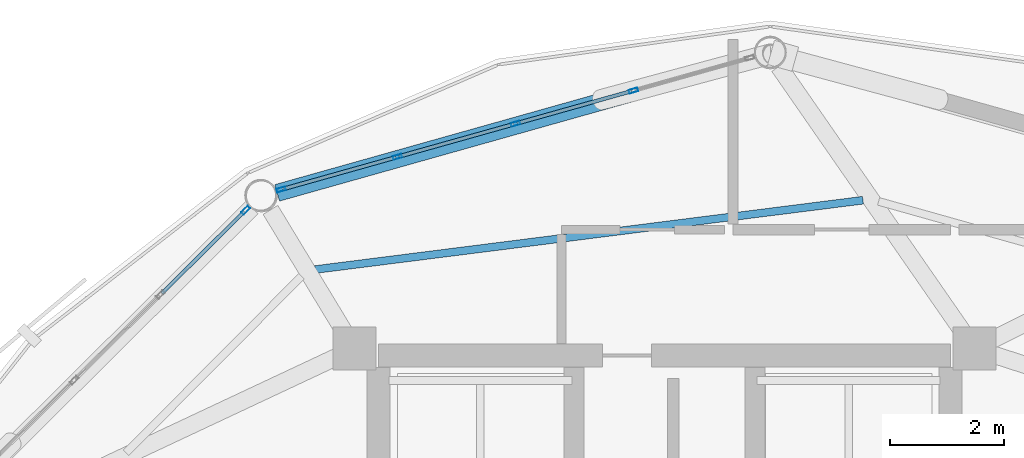
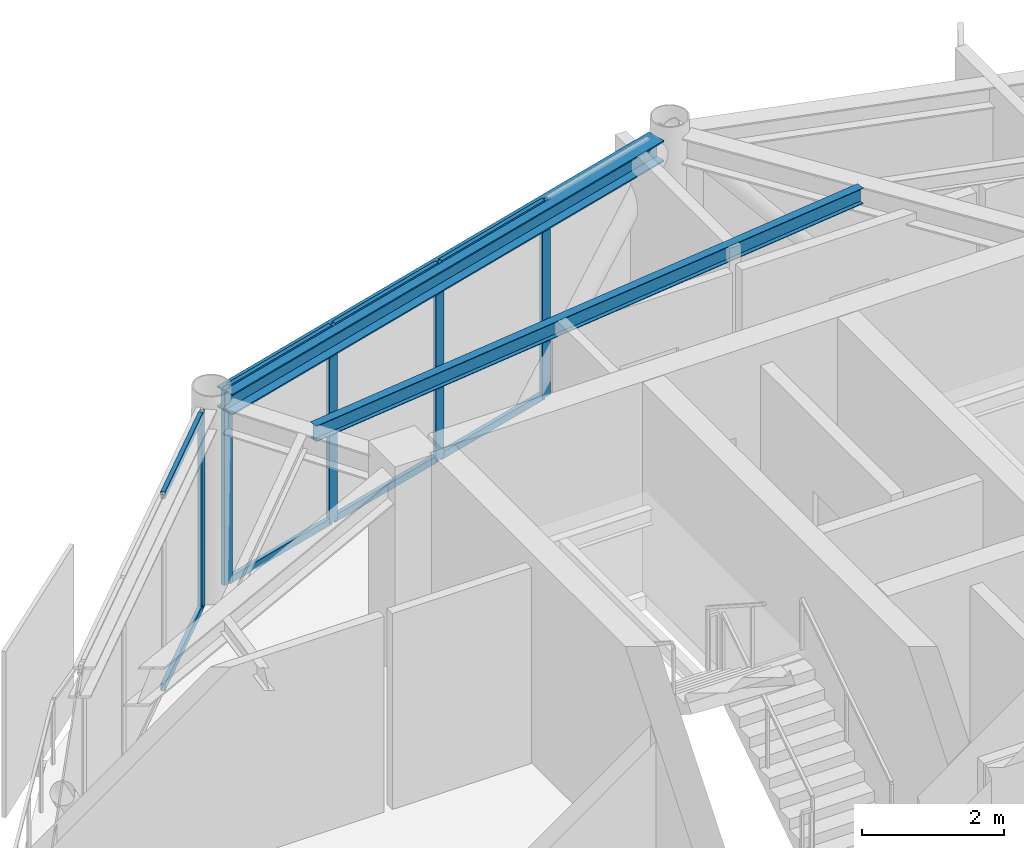
# One storey, part 16 of 25: 13 members, 2 beams, 2 elements without a shape of their own.
"""IFC4 building model written with IfcOpenShell, lengths in metres."""

from ifc_helpers import new_model, si_unit, direction, frame, origin, origin_2d, place, context, subcontext, project, spatial, hollow_rectangle, i_section, extrude, material, layer, layer_set, material_profile, profile_set, type_object, element, aggregate, save


model = new_model("IFC4")

# Units and contexts
model_context = context("Model", 3, precision=1e-05, world=origin(), true_north=direction((0.0, 1.0)))
body_context = subcontext(model_context, "Body", "Model", "MODEL_VIEW")
ifc_project = project(units=[si_unit("LENGTHUNIT", "METRE"), si_unit("AREAUNIT", "SQUARE_METRE"), si_unit("VOLUMEUNIT", "CUBIC_METRE"), si_unit("PLANEANGLEUNIT", "RADIAN"), si_unit("MASSUNIT", "GRAM", prefix="KILO")], contexts=[model_context])

# Site, building, storey
site_placement = place(None, origin())
site = spatial("IfcSite", under=ifc_project, at=site_placement, CompositionType="ELEMENT")
building_placement = place(site_placement, origin())
building = spatial("IfcBuilding", under=site, at=building_placement, Name="Varnakorn Sky Granary", CompositionType="ELEMENT")
storey_placement = place(building_placement, frame((0.0, 0.0, 277.800048828125)))
storey = spatial("IfcBuildingStorey", under=building, at=storey_placement, Name="L71", CompositionType="ELEMENT", Elevation=277.800048828125)

# Beams
ifc_material_1 = material(Name="Steel S355JR", Category="steel")
ifc_material_profile_1 = material_profile(ifc_material_1, i_section(OverallWidth=0.135009765625, OverallDepth=0.27001953125, WebThickness=0.006591796875, FlangeThickness=0.01025390625, at=origin_2d()), Name="IPE 270")
ifc_profile_set_1 = profile_set([ifc_material_profile_1], Name="Steel S355JR")
beam_type_1 = type_object("IfcBeamType", Name="BM-SEC-Z5", PredefinedType="BEAM", material=ifc_profile_set_1)
beam_1_placement = place(storey_placement, frame((6.47021484375, 15.213623046875, 3.224853515625), z_axis=(-0.992088816083, -0.125537966378, 0.0), x_axis=(0.125537966378, -0.992088816083, 0.0)))
element("IfcBeam", 1, at=beam_1_placement, inside=storey, type_object=beam_type_1, Name="Secondary Floor Chord Beam MSB04 L71", PredefinedType="BEAM", context=body_context, shape_type="SweptSolid", body=[
    extrude(i_section(OverallWidth=0.135009765625, OverallDepth=0.27001953125, WebThickness=0.006591796875, FlangeThickness=0.01025390625, at=origin_2d()), origin(), (0.0, 0.0, 1.0), 9.65380859375),
])
ifc_material_profile_2 = material_profile(ifc_material_1, i_section(OverallWidth=0.300048828125, OverallDepth=0.360107421875, WebThickness=0.012451171875, FlangeThickness=0.0224609375, at=origin_2d()), Name="HE 360 B")
ifc_profile_set_2 = profile_set([ifc_material_profile_2], Name="Steel S355JR")
beam_type_2 = type_object("IfcBeamType", Name="BM-SPD-Z5", PredefinedType="SPANDREL", material=ifc_profile_set_2)
beam_2_placement = place(storey_placement, frame((4.595458984375, 17.6962890625, 3.179931640625), z_axis=(-0.962618672341, -0.270860280699, 0.0), x_axis=(0.270860280699, -0.962618672341, 0.0)))
element("IfcBeam", 2, at=beam_2_placement, inside=storey, type_object=beam_type_2, Name="Perimeter Spandrel Ring Beam RB04 L71", PredefinedType="SPANDREL", context=body_context, shape_type="SweptSolid", body=[
    extrude(i_section(OverallWidth=0.300048828125, OverallDepth=0.360107421875, WebThickness=0.012451171875, FlangeThickness=0.0224609375, at=origin_2d()), origin(), (0.0, 0.0, 1.0), 8.69091796875),
])

# Curtain wall, members
ifc_material_2 = material(Name="Anodised Bronze Aluminium Alloy 6063-T6", Category="aluminium")
ifc_layer = layer(ifc_material_2, 0.159912109375, Name="Anodised Bronze Aluminium Alloy 6063-T6")
ifc_layer_set = layer_set([ifc_layer], Name="Anodised Bronze Aluminium Alloy 6063-T6")
curtain_wall_type = type_object("IfcCurtainWallType", Name="CW-OFF-1", PredefinedType="USERDEFINED", material=ifc_layer_set)
curtain_wall_1_placement = place(storey_placement, origin())
curtain_wall_1 = element("IfcCurtainWall", 3, at=curtain_wall_1_placement, inside=storey, type_object=curtain_wall_type, Name="Unitised Curtain Wall CW6 CW-L71-B04", ObjectType="CURTAIN WALL", PredefinedType="USERDEFINED")
ifc_material_profile_3 = material_profile(ifc_material_2, hollow_rectangle(XDim=0.06494140625, YDim=0.159912109375, WallThickness=0.00341796875, at=origin_2d()), Name="ALU MULL 65x160")
ifc_profile_set_3 = profile_set([ifc_material_profile_3], Name="Anodised Bronze Aluminium Alloy 6063-T6")
member_type_1 = type_object("IfcMemberType", Name="CW-OFF-1-MULL", PredefinedType="MULLION", material=ifc_profile_set_3)
member_1_placement = place(storey_placement, frame((-3.700927734375, 15.400634765625, 0.0), z_axis=(0.0, 0.0, 1.0), x_axis=(-0.270369994564, 0.962756493637, 0.0)))
member_1 = element("IfcMember", 4, at=member_1_placement, type_object=member_type_1, Name="CW6 mullion 1", PredefinedType="MULLION", context=body_context, shape_type="SweptSolid", body=[
    extrude(hollow_rectangle(XDim=0.06494140625, YDim=0.159912109375, WallThickness=0.00341796875, at=origin_2d()), origin(), (0.0, 0.0, 1.0), 3.35986328125),
])
member_2_placement = place(storey_placement, frame((-1.668212890625, 15.971435546875, 0.0), z_axis=(0.0, 0.0, 1.0), x_axis=(-0.270369994564, 0.962756493637, 0.0)))
member_2 = element("IfcMember", 5, at=member_2_placement, type_object=member_type_1, Name="CW6 mullion 2", PredefinedType="MULLION", context=body_context, shape_type="SweptSolid", body=[
    extrude(hollow_rectangle(XDim=0.06494140625, YDim=0.159912109375, WallThickness=0.00341796875, at=origin_2d()), origin(), (0.0, 0.0, 1.0), 3.35986328125),
])
member_3_placement = place(storey_placement, frame((0.3955078125, 16.551025390625, 0.0), z_axis=(0.0, 0.0, 1.0), x_axis=(-0.270369994564, 0.962756493637, 0.0)))
member_3 = element("IfcMember", 6, at=member_3_placement, type_object=member_type_1, Name="CW6 mullion 3", PredefinedType="MULLION", context=body_context, shape_type="SweptSolid", body=[
    extrude(hollow_rectangle(XDim=0.06494140625, YDim=0.159912109375, WallThickness=0.00341796875, at=origin_2d()), origin(), (0.0, 0.0, 1.0), 3.35986328125),
])
member_4_placement = place(storey_placement, frame((2.459228515625, 17.130615234375, 0.0), z_axis=(0.0, 0.0, 1.0), x_axis=(-0.270369994564, 0.962756493637, 0.0)))
member_4 = element("IfcMember", 7, at=member_4_placement, type_object=member_type_1, Name="CW6 mullion 4", PredefinedType="MULLION", context=body_context, shape_type="SweptSolid", body=[
    extrude(hollow_rectangle(XDim=0.06494140625, YDim=0.159912109375, WallThickness=0.00341796875, at=origin_2d()), origin(), (0.0, 0.0, 1.0), 3.35986328125),
])

# Curtain wall, member
curtain_wall_2_placement = place(storey_placement, origin())
curtain_wall_2 = element("IfcCurtainWall", 8, at=curtain_wall_2_placement, inside=storey, type_object=curtain_wall_type, Name="Unitised Curtain Wall CW6 CW-L71-B05", ObjectType="CURTAIN WALL", PredefinedType="USERDEFINED")
member_5_placement = place(storey_placement, frame((-4.3232421875, 15.038330078125, 0.0), z_axis=(0.0, 0.0, 1.0), x_axis=(-0.704102293926, 0.71009855632, 0.0)))
member_5 = element("IfcMember", 9, at=member_5_placement, type_object=member_type_1, Name="CW6 mullion 5", PredefinedType="MULLION", context=body_context, shape_type="SweptSolid", body=[
    extrude(hollow_rectangle(XDim=0.06494140625, YDim=0.159912109375, WallThickness=0.00341796875, at=origin_2d()), origin(), (0.0, 0.0, 1.0), 3.35986328125),
])

# Member
ifc_material_profile_4 = material_profile(ifc_material_2, hollow_rectangle(XDim=0.06494140625, YDim=0.1201171875, WallThickness=0.00341796875, at=origin_2d()), Name="ALU TRAN 65x120")
ifc_profile_set_4 = profile_set([ifc_material_profile_4], Name="Anodised Bronze Aluminium Alloy 6063-T6")
member_type_2 = type_object("IfcMemberType", Name="CW-OFF-1-TRAN", PredefinedType="USERDEFINED", material=ifc_profile_set_4)
member_6_placement = place(storey_placement, frame((-3.66943359375, 15.409423828125, 0.032470703125), z_axis=(0.96274806934, 0.27039999072, 0.0), x_axis=(-0.27039999072, 0.96274806934, 0.0)))
member_6 = element("IfcMember", 10, at=member_6_placement, type_object=member_type_2, Name="CW6 transom 1.1", ObjectType="TRANSOM", PredefinedType="USERDEFINED", context=body_context, shape_type="SweptSolid", body=[
    extrude(hollow_rectangle(XDim=0.06494140625, YDim=0.1201171875, WallThickness=0.00341796875, at=origin_2d()), origin(), (0.0, 0.0, 1.0), 2.0458984375),
])

member_7_placement = place(storey_placement, frame((-3.66943359375, 15.409423828125, 3.327392578125), z_axis=(0.96274806934, 0.27039999072, 0.0), x_axis=(-0.27039999072, 0.96274806934, 0.0)))
member_7 = element("IfcMember", 11, at=member_7_placement, type_object=member_type_2, Name="CW6 transom 1.2", ObjectType="TRANSOM", PredefinedType="USERDEFINED", context=body_context, shape_type="SweptSolid", body=[
    extrude(hollow_rectangle(XDim=0.06494140625, YDim=0.1201171875, WallThickness=0.00341796875, at=origin_2d()), origin(), (0.0, 0.0, 1.0), 2.0458984375),
])

member_8_placement = place(storey_placement, frame((-1.636962890625, 15.980224609375, 0.032470703125), z_axis=(0.962755140746, 0.270374812004, 0.0), x_axis=(-0.270374812004, 0.962755140746, 0.0)))
member_8 = element("IfcMember", 12, at=member_8_placement, type_object=member_type_2, Name="CW6 transom 2.1", ObjectType="TRANSOM", PredefinedType="USERDEFINED", context=body_context, shape_type="SweptSolid", body=[
    extrude(hollow_rectangle(XDim=0.06494140625, YDim=0.1201171875, WallThickness=0.00341796875, at=origin_2d()), origin(), (0.0, 0.0, 1.0), 2.07861328125),
])

member_9_placement = place(storey_placement, frame((-1.636962890625, 15.980224609375, 3.327392578125), z_axis=(0.962755140746, 0.270374812004, 0.0), x_axis=(-0.270374812004, 0.962755140746, 0.0)))
member_9 = element("IfcMember", 13, at=member_9_placement, type_object=member_type_2, Name="CW6 transom 2.2", ObjectType="TRANSOM", PredefinedType="USERDEFINED", context=body_context, shape_type="SweptSolid", body=[
    extrude(hollow_rectangle(XDim=0.06494140625, YDim=0.1201171875, WallThickness=0.00341796875, at=origin_2d()), origin(), (0.0, 0.0, 1.0), 2.07861328125),
])

member_10_placement = place(storey_placement, frame((0.4267578125, 16.559814453125, 0.032470703125), z_axis=(0.962755140746, 0.270374812004, 0.0), x_axis=(-0.270374812004, 0.962755140746, 0.0)))
member_10 = element("IfcMember", 14, at=member_10_placement, type_object=member_type_2, Name="CW6 transom 3.1", ObjectType="TRANSOM", PredefinedType="USERDEFINED", context=body_context, shape_type="SweptSolid", body=[
    extrude(hollow_rectangle(XDim=0.06494140625, YDim=0.1201171875, WallThickness=0.00341796875, at=origin_2d()), origin(), (0.0, 0.0, 1.0), 2.07861328125),
])

member_11_placement = place(storey_placement, frame((0.4267578125, 16.559814453125, 3.327392578125), z_axis=(0.962755140746, 0.270374812004, 0.0), x_axis=(-0.270374812004, 0.962755140746, 0.0)))
member_11 = element("IfcMember", 15, at=member_11_placement, type_object=member_type_2, Name="CW6 transom 3.2", ObjectType="TRANSOM", PredefinedType="USERDEFINED", context=body_context, shape_type="SweptSolid", body=[
    extrude(hollow_rectangle(XDim=0.06494140625, YDim=0.1201171875, WallThickness=0.00341796875, at=origin_2d()), origin(), (0.0, 0.0, 1.0), 2.07861328125),
])

aggregate(curtain_wall_1, [member_1, member_2, member_3, member_4, member_6, member_7, member_8, member_9, member_10, member_11])

member_12_placement = place(storey_placement, frame((-5.786865234375, 13.5869140625, 0.032470703125), z_axis=(0.71010880712, 0.704091955678, 0.0), x_axis=(-0.704091955678, 0.71010880712, 0.0)))
member_12 = element("IfcMember", 16, at=member_12_placement, type_object=member_type_2, Name="CW6 transom 4.1", ObjectType="TRANSOM", PredefinedType="USERDEFINED", context=body_context, shape_type="SweptSolid", body=[
    extrude(hollow_rectangle(XDim=0.06494140625, YDim=0.1201171875, WallThickness=0.00341796875, at=origin_2d()), origin(), (0.0, 0.0, 1.0), 2.02880859375),
])

member_13_placement = place(storey_placement, frame((-5.786865234375, 13.5869140625, 3.327392578125), z_axis=(0.71010880712, 0.704091955678, 0.0), x_axis=(-0.704091955678, 0.71010880712, 0.0)))
member_13 = element("IfcMember", 17, at=member_13_placement, type_object=member_type_2, Name="CW6 transom 4.2", ObjectType="TRANSOM", PredefinedType="USERDEFINED", context=body_context, shape_type="SweptSolid", body=[
    extrude(hollow_rectangle(XDim=0.06494140625, YDim=0.1201171875, WallThickness=0.00341796875, at=origin_2d()), origin(), (0.0, 0.0, 1.0), 2.02880859375),
])

aggregate(curtain_wall_2, [member_5, member_12, member_13])

save(model, "model.ifc")
